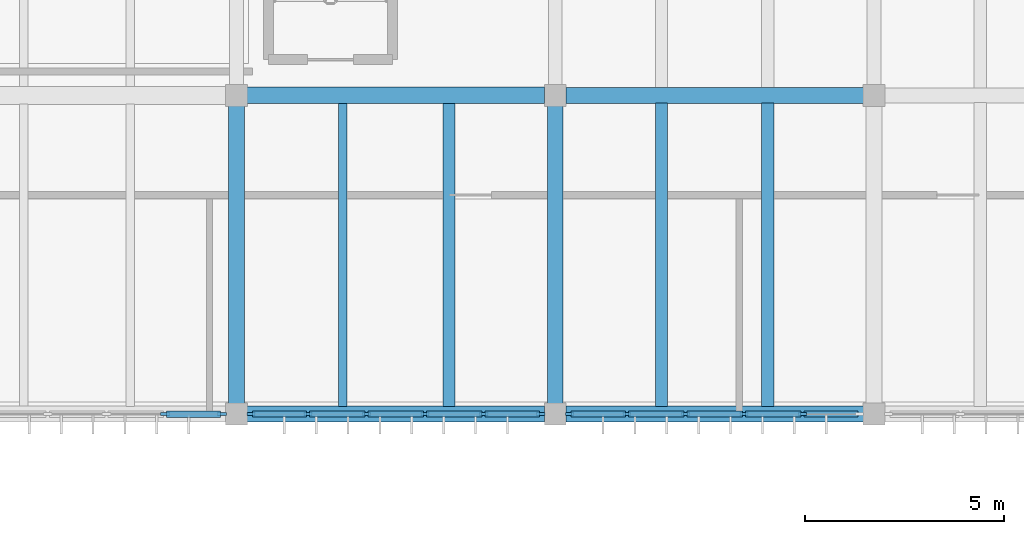
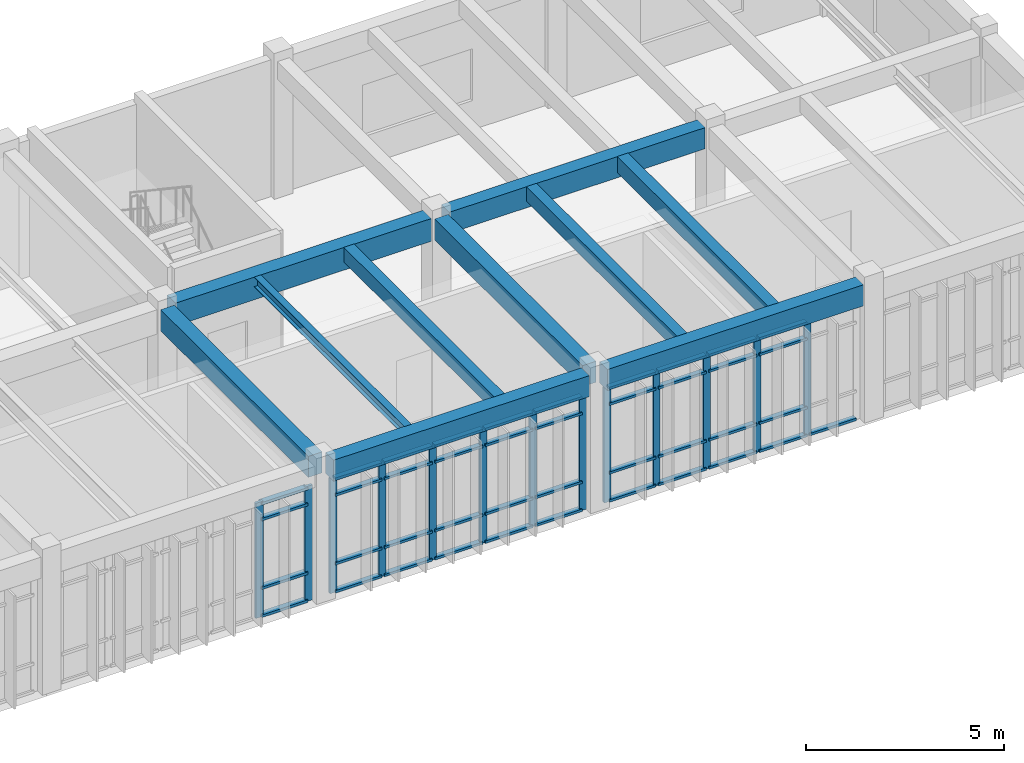
# One storey, part 30 of 79: 54 members, 10 beams, 3 elements without a shape of their own.
"""IFC4 building model written with IfcOpenShell, lengths in metres."""

from ifc_helpers import new_model, si_unit, direction, frame, origin, origin_2d, place, context, subcontext, project, spatial, rectangle, i_section, extrude, material, material_profile, profile_set, type_object, element, aggregate, save


model = new_model("IFC4")

# Units and contexts
model_context = context("Model", 3, precision=1e-05, world=origin(), true_north=direction((0.0, 1.0)))
body_context = subcontext(model_context, "Body", "Model", "MODEL_VIEW")
ifc_project = project(units=[si_unit("LENGTHUNIT", "METRE"), si_unit("AREAUNIT", "SQUARE_METRE"), si_unit("VOLUMEUNIT", "CUBIC_METRE"), si_unit("PLANEANGLEUNIT", "RADIAN"), si_unit("MASSUNIT", "GRAM", prefix="KILO")], contexts=[model_context])

# Site, building, storey
site_placement = place(None, origin())
site = spatial("IfcSite", under=ifc_project, at=site_placement, CompositionType="ELEMENT")
building_placement = place(site_placement, origin())
building = spatial("IfcBuilding", under=site, at=building_placement, Name="Tlaxcora Railside Police Headquarters", CompositionType="ELEMENT")
storey_placement = place(building_placement, frame((0.0, 0.0, 9.0)))
storey = spatial("IfcBuildingStorey", under=building, at=storey_placement, Name="L02", CompositionType="ELEMENT", Elevation=9.0)

# Curtain wall, members
ifc_material_1 = material(Name="Thermally broken low-E insulated glazing", Category="glass")
curtain_wall_type_1 = type_object("IfcCurtainWallType", Name="Unitised Curtain Wall Assembly CW-23", PredefinedType="NOTDEFINED", material=ifc_material_1)
curtain_wall_1_placement = place(storey_placement, origin())
curtain_wall_1 = element("IfcCurtainWall", 1, at=curtain_wall_1_placement, inside=storey, type_object=curtain_wall_type_1, Name="V7 L02 curtain wall 180", PredefinedType="NOTDEFINED")
ifc_material_2 = material(Name="Anodised aluminium framing", Category="aluminium")
ifc_material_profile_1 = material_profile(ifc_material_2, rectangle(XDim=0.080078125, YDim=0.219970703125, at=origin_2d()), Name="AL80X220")
ifc_profile_set_1 = profile_set([ifc_material_profile_1], Name="Anodised aluminium framing")
member_type_1 = type_object("IfcMemberType", Name="Curtain Wall Mullion CW-31", PredefinedType="MULLION", material=ifc_profile_set_1)
member_1_placement = place(storey_placement, frame((133.0048828125, 36.0, 0.0), z_axis=(0.0, 0.0, 1.0), x_axis=(0.0, 1.0, 0.0)))
member_1 = element("IfcMember", 2, at=member_1_placement, type_object=member_type_1, Name="CW mullion 5", PredefinedType="MULLION", context=body_context, shape_type="SweptSolid", body=[
    extrude(rectangle(XDim=0.080078125, YDim=0.219970703125, at=origin_2d()), origin(), (0.0, 0.0, 1.0), 3.550048828125),
])
member_2_placement = place(storey_placement, frame((134.43505859375, 36.0, 0.0), z_axis=(0.0, 0.0, 1.0), x_axis=(0.0, 1.0, 0.0)))
member_2 = element("IfcMember", 3, at=member_2_placement, type_object=member_type_1, Name="CW mullion 6", PredefinedType="MULLION", context=body_context, shape_type="SweptSolid", body=[
    extrude(rectangle(XDim=0.080078125, YDim=0.219970703125, at=origin_2d()), origin(), (0.0, 0.0, 1.0), 3.550048828125),
])

curtain_wall_type_2 = type_object("IfcCurtainWallType", Name="Unitised Curtain Wall Assembly CW-38", PredefinedType="NOTDEFINED", material=ifc_material_1)
curtain_wall_2_placement = place(storey_placement, origin())
curtain_wall_2 = element("IfcCurtainWall", 4, at=curtain_wall_2_placement, inside=storey, type_object=curtain_wall_type_2, Name="V7 L02 curtain wall 181", PredefinedType="NOTDEFINED")
ifc_material_profile_2 = material_profile(ifc_material_2, rectangle(XDim=0.074951171875, YDim=0.205078125, at=origin_2d()), Name="AL75X205")
ifc_profile_set_2 = profile_set([ifc_material_profile_2], Name="Anodised aluminium framing")
member_type_2 = type_object("IfcMemberType", Name="Curtain Wall Mullion CW-32", PredefinedType="MULLION", material=ifc_profile_set_2)
member_3_placement = place(storey_placement, frame((135.16259765625, 36.0, 0.0), z_axis=(0.0, 0.0, 1.0), x_axis=(0.0, 1.0, 0.0)))
member_3 = element("IfcMember", 5, at=member_3_placement, type_object=member_type_2, Name="CW mullion 1", PredefinedType="MULLION", context=body_context, shape_type="SweptSolid", body=[
    extrude(rectangle(XDim=0.074951171875, YDim=0.205078125, at=origin_2d()), origin(), (0.0, 0.0, 1.0), 3.550048828125),
])
member_4_placement = place(storey_placement, frame((136.594970703125, 36.0, 0.0), z_axis=(0.0, 0.0, 1.0), x_axis=(0.0, 1.0, 0.0)))
member_4 = element("IfcMember", 6, at=member_4_placement, type_object=member_type_2, Name="CW mullion 2", PredefinedType="MULLION", context=body_context, shape_type="SweptSolid", body=[
    extrude(rectangle(XDim=0.074951171875, YDim=0.205078125, at=origin_2d()), origin(), (0.0, 0.0, 1.0), 3.550048828125),
])
member_5_placement = place(storey_placement, frame((138.06494140625, 36.0, 0.0), z_axis=(0.0, 0.0, 1.0), x_axis=(0.0, 1.0, 0.0)))
member_5 = element("IfcMember", 7, at=member_5_placement, type_object=member_type_2, Name="CW mullion 3", PredefinedType="MULLION", context=body_context, shape_type="SweptSolid", body=[
    extrude(rectangle(XDim=0.074951171875, YDim=0.205078125, at=origin_2d()), origin(), (0.0, 0.0, 1.0), 3.550048828125),
])
member_6_placement = place(storey_placement, frame((139.534912109375, 36.0, 0.0), z_axis=(0.0, 0.0, 1.0), x_axis=(0.0, 1.0, 0.0)))
member_6 = element("IfcMember", 8, at=member_6_placement, type_object=member_type_2, Name="CW mullion 4", PredefinedType="MULLION", context=body_context, shape_type="SweptSolid", body=[
    extrude(rectangle(XDim=0.074951171875, YDim=0.205078125, at=origin_2d()), origin(), (0.0, 0.0, 1.0), 3.550048828125),
])
member_7_placement = place(storey_placement, frame((141.0048828125, 36.0, 0.0), z_axis=(0.0, 0.0, 1.0), x_axis=(0.0, 1.0, 0.0)))
member_7 = element("IfcMember", 9, at=member_7_placement, type_object=member_type_2, Name="CW mullion 5", PredefinedType="MULLION", context=body_context, shape_type="SweptSolid", body=[
    extrude(rectangle(XDim=0.074951171875, YDim=0.205078125, at=origin_2d()), origin(), (0.0, 0.0, 1.0), 3.550048828125),
])
member_8_placement = place(storey_placement, frame((142.4375, 36.0, 0.0), z_axis=(0.0, 0.0, 1.0), x_axis=(0.0, 1.0, 0.0)))
member_8 = element("IfcMember", 10, at=member_8_placement, type_object=member_type_2, Name="CW mullion 6", PredefinedType="MULLION", context=body_context, shape_type="SweptSolid", body=[
    extrude(rectangle(XDim=0.074951171875, YDim=0.205078125, at=origin_2d()), origin(), (0.0, 0.0, 1.0), 3.550048828125),
])

curtain_wall_type_3 = type_object("IfcCurtainWallType", Name="Unitised Curtain Wall Assembly CW-15", PredefinedType="NOTDEFINED", material=ifc_material_1)
curtain_wall_3_placement = place(storey_placement, origin())
curtain_wall_3 = element("IfcCurtainWall", 11, at=curtain_wall_3_placement, inside=storey, type_object=curtain_wall_type_3, Name="V7 L02 curtain wall 182", PredefinedType="NOTDEFINED")
ifc_material_profile_3 = material_profile(ifc_material_2, rectangle(XDim=0.074951171875, YDim=0.199951171875, at=origin_2d()), Name="AL75X200")
ifc_profile_set_3 = profile_set([ifc_material_profile_3], Name="Anodised aluminium framing")
member_type_3 = type_object("IfcMemberType", Name="Curtain Wall Mullion CW-58", PredefinedType="MULLION", material=ifc_profile_set_3)
member_9_placement = place(storey_placement, frame((143.16259765625, 36.0, 0.0), z_axis=(0.0, 0.0, 1.0), x_axis=(0.0, 1.0, 0.0)))
member_9 = element("IfcMember", 12, at=member_9_placement, type_object=member_type_3, Name="CW mullion 1", PredefinedType="MULLION", context=body_context, shape_type="SweptSolid", body=[
    extrude(rectangle(XDim=0.074951171875, YDim=0.199951171875, at=origin_2d()), origin(), (0.0, 0.0, 1.0), 3.550048828125),
])
member_10_placement = place(storey_placement, frame((144.594970703125, 36.0, 0.0), z_axis=(0.0, 0.0, 1.0), x_axis=(0.0, 1.0, 0.0)))
member_10 = element("IfcMember", 13, at=member_10_placement, type_object=member_type_3, Name="CW mullion 2", PredefinedType="MULLION", context=body_context, shape_type="SweptSolid", body=[
    extrude(rectangle(XDim=0.074951171875, YDim=0.199951171875, at=origin_2d()), origin(), (0.0, 0.0, 1.0), 3.550048828125),
])
member_11_placement = place(storey_placement, frame((146.06494140625, 36.0, 0.0), z_axis=(0.0, 0.0, 1.0), x_axis=(0.0, 1.0, 0.0)))
member_11 = element("IfcMember", 14, at=member_11_placement, type_object=member_type_3, Name="CW mullion 3", PredefinedType="MULLION", context=body_context, shape_type="SweptSolid", body=[
    extrude(rectangle(XDim=0.074951171875, YDim=0.199951171875, at=origin_2d()), origin(), (0.0, 0.0, 1.0), 3.550048828125),
])
member_12_placement = place(storey_placement, frame((147.534912109375, 36.0, 0.0), z_axis=(0.0, 0.0, 1.0), x_axis=(0.0, 1.0, 0.0)))
member_12 = element("IfcMember", 15, at=member_12_placement, type_object=member_type_3, Name="CW mullion 4", PredefinedType="MULLION", context=body_context, shape_type="SweptSolid", body=[
    extrude(rectangle(XDim=0.074951171875, YDim=0.199951171875, at=origin_2d()), origin(), (0.0, 0.0, 1.0), 3.550048828125),
])
member_13_placement = place(storey_placement, frame((149.0048828125, 36.0, 0.0), z_axis=(0.0, 0.0, 1.0), x_axis=(0.0, 1.0, 0.0)))
member_13 = element("IfcMember", 16, at=member_13_placement, type_object=member_type_3, Name="CW mullion 5", PredefinedType="MULLION", context=body_context, shape_type="SweptSolid", body=[
    extrude(rectangle(XDim=0.074951171875, YDim=0.199951171875, at=origin_2d()), origin(), (0.0, 0.0, 1.0), 3.550048828125),
])
ifc_material_profile_4 = material_profile(ifc_material_2, rectangle(XDim=0.14990234375, YDim=0.074951171875, at=origin_2d()), Name="AL75X150")
ifc_profile_set_4 = profile_set([ifc_material_profile_4], Name="Anodised aluminium framing")
member_type_4 = type_object("IfcMemberType", Name="Curtain Wall Transom CW-28", PredefinedType="USERDEFINED", material=ifc_profile_set_4)
member_14_placement = place(storey_placement, frame((143.199951171875, 36.0, 0.03759765625), z_axis=(1.0, 0.0, 0.0), x_axis=(0.0, 1.0, 0.0)))
member_14 = element("IfcMember", 17, at=member_14_placement, type_object=member_type_4, Name="CW transom 1.1", ObjectType="TRANSOM", PredefinedType="USERDEFINED", context=body_context, shape_type="SweptSolid", body=[
    extrude(rectangle(XDim=0.14990234375, YDim=0.074951171875, at=origin_2d()), origin(), (0.0, 0.0, 1.0), 1.357666015625),
])
member_15_placement = place(storey_placement, frame((143.199951171875, 36.0, 0.89990234375), z_axis=(1.0, 0.0, 0.0), x_axis=(0.0, 1.0, 0.0)))
member_15 = element("IfcMember", 18, at=member_15_placement, type_object=member_type_4, Name="CW transom 1.2", ObjectType="TRANSOM", PredefinedType="USERDEFINED", context=body_context, shape_type="SweptSolid", body=[
    extrude(rectangle(XDim=0.14990234375, YDim=0.074951171875, at=origin_2d()), origin(), (0.0, 0.0, 1.0), 1.357666015625),
])
member_16_placement = place(storey_placement, frame((143.199951171875, 36.0, 3.02001953125), z_axis=(1.0, 0.0, 0.0), x_axis=(0.0, 1.0, 0.0)))
member_16 = element("IfcMember", 19, at=member_16_placement, type_object=member_type_4, Name="CW transom 1.3", ObjectType="TRANSOM", PredefinedType="USERDEFINED", context=body_context, shape_type="SweptSolid", body=[
    extrude(rectangle(XDim=0.14990234375, YDim=0.074951171875, at=origin_2d()), origin(), (0.0, 0.0, 1.0), 1.357666015625),
])
member_17_placement = place(storey_placement, frame((143.199951171875, 36.0, 3.512451171875), z_axis=(1.0, 0.0, 0.0), x_axis=(0.0, 1.0, 0.0)))
member_17 = element("IfcMember", 20, at=member_17_placement, type_object=member_type_4, Name="CW transom 1.4", ObjectType="TRANSOM", PredefinedType="USERDEFINED", context=body_context, shape_type="SweptSolid", body=[
    extrude(rectangle(XDim=0.14990234375, YDim=0.074951171875, at=origin_2d()), origin(), (0.0, 0.0, 1.0), 1.357666015625),
])
member_18_placement = place(storey_placement, frame((144.632568359375, 36.0, 0.03759765625), z_axis=(1.0, 0.0, 0.0), x_axis=(0.0, 1.0, 0.0)))
member_18 = element("IfcMember", 21, at=member_18_placement, type_object=member_type_4, Name="CW transom 2.1", ObjectType="TRANSOM", PredefinedType="USERDEFINED", context=body_context, shape_type="SweptSolid", body=[
    extrude(rectangle(XDim=0.14990234375, YDim=0.074951171875, at=origin_2d()), origin(), (0.0, 0.0, 1.0), 1.39501953125),
])
member_19_placement = place(storey_placement, frame((144.632568359375, 36.0, 0.89990234375), z_axis=(1.0, 0.0, 0.0), x_axis=(0.0, 1.0, 0.0)))
member_19 = element("IfcMember", 22, at=member_19_placement, type_object=member_type_4, Name="CW transom 2.2", ObjectType="TRANSOM", PredefinedType="USERDEFINED", context=body_context, shape_type="SweptSolid", body=[
    extrude(rectangle(XDim=0.14990234375, YDim=0.074951171875, at=origin_2d()), origin(), (0.0, 0.0, 1.0), 1.39501953125),
])
member_20_placement = place(storey_placement, frame((144.632568359375, 36.0, 3.02001953125), z_axis=(1.0, 0.0, 0.0), x_axis=(0.0, 1.0, 0.0)))
member_20 = element("IfcMember", 23, at=member_20_placement, type_object=member_type_4, Name="CW transom 2.3", ObjectType="TRANSOM", PredefinedType="USERDEFINED", context=body_context, shape_type="SweptSolid", body=[
    extrude(rectangle(XDim=0.14990234375, YDim=0.074951171875, at=origin_2d()), origin(), (0.0, 0.0, 1.0), 1.39501953125),
])
member_21_placement = place(storey_placement, frame((144.632568359375, 36.0, 3.512451171875), z_axis=(1.0, 0.0, 0.0), x_axis=(0.0, 1.0, 0.0)))
member_21 = element("IfcMember", 24, at=member_21_placement, type_object=member_type_4, Name="CW transom 2.4", ObjectType="TRANSOM", PredefinedType="USERDEFINED", context=body_context, shape_type="SweptSolid", body=[
    extrude(rectangle(XDim=0.14990234375, YDim=0.074951171875, at=origin_2d()), origin(), (0.0, 0.0, 1.0), 1.39501953125),
])
member_22_placement = place(storey_placement, frame((146.1025390625, 36.0, 0.03759765625), z_axis=(1.0, 0.0, 0.0), x_axis=(0.0, 1.0, 0.0)))
member_22 = element("IfcMember", 25, at=member_22_placement, type_object=member_type_4, Name="CW transom 3.1", ObjectType="TRANSOM", PredefinedType="USERDEFINED", context=body_context, shape_type="SweptSolid", body=[
    extrude(rectangle(XDim=0.14990234375, YDim=0.074951171875, at=origin_2d()), origin(), (0.0, 0.0, 1.0), 1.39501953125),
])
member_23_placement = place(storey_placement, frame((146.1025390625, 36.0, 0.89990234375), z_axis=(1.0, 0.0, 0.0), x_axis=(0.0, 1.0, 0.0)))
member_23 = element("IfcMember", 26, at=member_23_placement, type_object=member_type_4, Name="CW transom 3.2", ObjectType="TRANSOM", PredefinedType="USERDEFINED", context=body_context, shape_type="SweptSolid", body=[
    extrude(rectangle(XDim=0.14990234375, YDim=0.074951171875, at=origin_2d()), origin(), (0.0, 0.0, 1.0), 1.39501953125),
])
member_24_placement = place(storey_placement, frame((146.1025390625, 36.0, 3.02001953125), z_axis=(1.0, 0.0, 0.0), x_axis=(0.0, 1.0, 0.0)))
member_24 = element("IfcMember", 27, at=member_24_placement, type_object=member_type_4, Name="CW transom 3.3", ObjectType="TRANSOM", PredefinedType="USERDEFINED", context=body_context, shape_type="SweptSolid", body=[
    extrude(rectangle(XDim=0.14990234375, YDim=0.074951171875, at=origin_2d()), origin(), (0.0, 0.0, 1.0), 1.39501953125),
])
member_25_placement = place(storey_placement, frame((146.1025390625, 36.0, 3.512451171875), z_axis=(1.0, 0.0, 0.0), x_axis=(0.0, 1.0, 0.0)))
member_25 = element("IfcMember", 28, at=member_25_placement, type_object=member_type_4, Name="CW transom 3.4", ObjectType="TRANSOM", PredefinedType="USERDEFINED", context=body_context, shape_type="SweptSolid", body=[
    extrude(rectangle(XDim=0.14990234375, YDim=0.074951171875, at=origin_2d()), origin(), (0.0, 0.0, 1.0), 1.39501953125),
])
member_26_placement = place(storey_placement, frame((147.572509765625, 36.0, 0.03759765625), z_axis=(1.0, 0.0, 0.0), x_axis=(0.0, 1.0, 0.0)))
member_26 = element("IfcMember", 29, at=member_26_placement, type_object=member_type_4, Name="CW transom 4.1", ObjectType="TRANSOM", PredefinedType="USERDEFINED", context=body_context, shape_type="SweptSolid", body=[
    extrude(rectangle(XDim=0.14990234375, YDim=0.074951171875, at=origin_2d()), origin(), (0.0, 0.0, 1.0), 1.39501953125),
])
member_27_placement = place(storey_placement, frame((147.572509765625, 36.0, 0.89990234375), z_axis=(1.0, 0.0, 0.0), x_axis=(0.0, 1.0, 0.0)))
member_27 = element("IfcMember", 30, at=member_27_placement, type_object=member_type_4, Name="CW transom 4.2", ObjectType="TRANSOM", PredefinedType="USERDEFINED", context=body_context, shape_type="SweptSolid", body=[
    extrude(rectangle(XDim=0.14990234375, YDim=0.074951171875, at=origin_2d()), origin(), (0.0, 0.0, 1.0), 1.39501953125),
])
member_28_placement = place(storey_placement, frame((147.572509765625, 36.0, 3.02001953125), z_axis=(1.0, 0.0, 0.0), x_axis=(0.0, 1.0, 0.0)))
member_28 = element("IfcMember", 31, at=member_28_placement, type_object=member_type_4, Name="CW transom 4.3", ObjectType="TRANSOM", PredefinedType="USERDEFINED", context=body_context, shape_type="SweptSolid", body=[
    extrude(rectangle(XDim=0.14990234375, YDim=0.074951171875, at=origin_2d()), origin(), (0.0, 0.0, 1.0), 1.39501953125),
])
member_29_placement = place(storey_placement, frame((147.572509765625, 36.0, 3.512451171875), z_axis=(1.0, 0.0, 0.0), x_axis=(0.0, 1.0, 0.0)))
member_29 = element("IfcMember", 32, at=member_29_placement, type_object=member_type_4, Name="CW transom 4.4", ObjectType="TRANSOM", PredefinedType="USERDEFINED", context=body_context, shape_type="SweptSolid", body=[
    extrude(rectangle(XDim=0.14990234375, YDim=0.074951171875, at=origin_2d()), origin(), (0.0, 0.0, 1.0), 1.39501953125),
])
member_30_placement = place(storey_placement, frame((149.04248046875, 36.0, 0.03759765625), z_axis=(1.0, 0.0, 0.0), x_axis=(0.0, 1.0, 0.0)))
member_30 = element("IfcMember", 33, at=member_30_placement, type_object=member_type_4, Name="CW transom 5.1", ObjectType="TRANSOM", PredefinedType="USERDEFINED", context=body_context, shape_type="SweptSolid", body=[
    extrude(rectangle(XDim=0.14990234375, YDim=0.074951171875, at=origin_2d()), origin(), (0.0, 0.0, 1.0), 1.357421875),
])
aggregate(curtain_wall_3, [member_9, member_10, member_11, member_12, member_13, member_14, member_15, member_16, member_17, member_18, member_19, member_20, member_21, member_22, member_23, member_24, member_25, member_26, member_27, member_28, member_29, member_30])

# Member
ifc_material_profile_5 = material_profile(ifc_material_2, rectangle(XDim=0.155029296875, YDim=0.074951171875, at=origin_2d()), Name="AL75X155")
ifc_profile_set_5 = profile_set([ifc_material_profile_5], Name="Anodised aluminium framing")
member_type_5 = type_object("IfcMemberType", Name="Curtain Wall Transom CW-30", PredefinedType="USERDEFINED", material=ifc_profile_set_5)
member_31_placement = place(storey_placement, frame((135.199951171875, 36.0, 0.03759765625), z_axis=(1.0, 0.0, 0.0), x_axis=(0.0, 1.0, 0.0)))
member_31 = element("IfcMember", 34, at=member_31_placement, type_object=member_type_5, Name="CW transom 1.1", ObjectType="TRANSOM", PredefinedType="USERDEFINED", context=body_context, shape_type="SweptSolid", body=[
    extrude(rectangle(XDim=0.155029296875, YDim=0.074951171875, at=origin_2d()), origin(), (0.0, 0.0, 1.0), 1.357666015625),
])

member_32_placement = place(storey_placement, frame((135.199951171875, 36.0, 0.89990234375), z_axis=(1.0, 0.0, 0.0), x_axis=(0.0, 1.0, 0.0)))
member_32 = element("IfcMember", 35, at=member_32_placement, type_object=member_type_5, Name="CW transom 1.2", ObjectType="TRANSOM", PredefinedType="USERDEFINED", context=body_context, shape_type="SweptSolid", body=[
    extrude(rectangle(XDim=0.155029296875, YDim=0.074951171875, at=origin_2d()), origin(), (0.0, 0.0, 1.0), 1.357666015625),
])

member_33_placement = place(storey_placement, frame((135.199951171875, 36.0, 3.02001953125), z_axis=(1.0, 0.0, 0.0), x_axis=(0.0, 1.0, 0.0)))
member_33 = element("IfcMember", 36, at=member_33_placement, type_object=member_type_5, Name="CW transom 1.3", ObjectType="TRANSOM", PredefinedType="USERDEFINED", context=body_context, shape_type="SweptSolid", body=[
    extrude(rectangle(XDim=0.155029296875, YDim=0.074951171875, at=origin_2d()), origin(), (0.0, 0.0, 1.0), 1.357666015625),
])

member_34_placement = place(storey_placement, frame((135.199951171875, 36.0, 3.512451171875), z_axis=(1.0, 0.0, 0.0), x_axis=(0.0, 1.0, 0.0)))
member_34 = element("IfcMember", 37, at=member_34_placement, type_object=member_type_5, Name="CW transom 1.4", ObjectType="TRANSOM", PredefinedType="USERDEFINED", context=body_context, shape_type="SweptSolid", body=[
    extrude(rectangle(XDim=0.155029296875, YDim=0.074951171875, at=origin_2d()), origin(), (0.0, 0.0, 1.0), 1.357666015625),
])

member_35_placement = place(storey_placement, frame((136.632568359375, 36.0, 0.03759765625), z_axis=(1.0, 0.0, 0.0), x_axis=(0.0, 1.0, 0.0)))
member_35 = element("IfcMember", 38, at=member_35_placement, type_object=member_type_5, Name="CW transom 2.1", ObjectType="TRANSOM", PredefinedType="USERDEFINED", context=body_context, shape_type="SweptSolid", body=[
    extrude(rectangle(XDim=0.155029296875, YDim=0.074951171875, at=origin_2d()), origin(), (0.0, 0.0, 1.0), 1.39501953125),
])

member_36_placement = place(storey_placement, frame((136.632568359375, 36.0, 0.89990234375), z_axis=(1.0, 0.0, 0.0), x_axis=(0.0, 1.0, 0.0)))
member_36 = element("IfcMember", 39, at=member_36_placement, type_object=member_type_5, Name="CW transom 2.2", ObjectType="TRANSOM", PredefinedType="USERDEFINED", context=body_context, shape_type="SweptSolid", body=[
    extrude(rectangle(XDim=0.155029296875, YDim=0.074951171875, at=origin_2d()), origin(), (0.0, 0.0, 1.0), 1.39501953125),
])

member_37_placement = place(storey_placement, frame((136.632568359375, 36.0, 3.02001953125), z_axis=(1.0, 0.0, 0.0), x_axis=(0.0, 1.0, 0.0)))
member_37 = element("IfcMember", 40, at=member_37_placement, type_object=member_type_5, Name="CW transom 2.3", ObjectType="TRANSOM", PredefinedType="USERDEFINED", context=body_context, shape_type="SweptSolid", body=[
    extrude(rectangle(XDim=0.155029296875, YDim=0.074951171875, at=origin_2d()), origin(), (0.0, 0.0, 1.0), 1.39501953125),
])

member_38_placement = place(storey_placement, frame((136.632568359375, 36.0, 3.512451171875), z_axis=(1.0, 0.0, 0.0), x_axis=(0.0, 1.0, 0.0)))
member_38 = element("IfcMember", 41, at=member_38_placement, type_object=member_type_5, Name="CW transom 2.4", ObjectType="TRANSOM", PredefinedType="USERDEFINED", context=body_context, shape_type="SweptSolid", body=[
    extrude(rectangle(XDim=0.155029296875, YDim=0.074951171875, at=origin_2d()), origin(), (0.0, 0.0, 1.0), 1.39501953125),
])

member_39_placement = place(storey_placement, frame((138.1025390625, 36.0, 0.03759765625), z_axis=(1.0, 0.0, 0.0), x_axis=(0.0, 1.0, 0.0)))
member_39 = element("IfcMember", 42, at=member_39_placement, type_object=member_type_5, Name="CW transom 3.1", ObjectType="TRANSOM", PredefinedType="USERDEFINED", context=body_context, shape_type="SweptSolid", body=[
    extrude(rectangle(XDim=0.155029296875, YDim=0.074951171875, at=origin_2d()), origin(), (0.0, 0.0, 1.0), 1.39501953125),
])

member_40_placement = place(storey_placement, frame((138.1025390625, 36.0, 0.89990234375), z_axis=(1.0, 0.0, 0.0), x_axis=(0.0, 1.0, 0.0)))
member_40 = element("IfcMember", 43, at=member_40_placement, type_object=member_type_5, Name="CW transom 3.2", ObjectType="TRANSOM", PredefinedType="USERDEFINED", context=body_context, shape_type="SweptSolid", body=[
    extrude(rectangle(XDim=0.155029296875, YDim=0.074951171875, at=origin_2d()), origin(), (0.0, 0.0, 1.0), 1.39501953125),
])

member_41_placement = place(storey_placement, frame((138.1025390625, 36.0, 3.02001953125), z_axis=(1.0, 0.0, 0.0), x_axis=(0.0, 1.0, 0.0)))
member_41 = element("IfcMember", 44, at=member_41_placement, type_object=member_type_5, Name="CW transom 3.3", ObjectType="TRANSOM", PredefinedType="USERDEFINED", context=body_context, shape_type="SweptSolid", body=[
    extrude(rectangle(XDim=0.155029296875, YDim=0.074951171875, at=origin_2d()), origin(), (0.0, 0.0, 1.0), 1.39501953125),
])

member_42_placement = place(storey_placement, frame((138.1025390625, 36.0, 3.512451171875), z_axis=(1.0, 0.0, 0.0), x_axis=(0.0, 1.0, 0.0)))
member_42 = element("IfcMember", 45, at=member_42_placement, type_object=member_type_5, Name="CW transom 3.4", ObjectType="TRANSOM", PredefinedType="USERDEFINED", context=body_context, shape_type="SweptSolid", body=[
    extrude(rectangle(XDim=0.155029296875, YDim=0.074951171875, at=origin_2d()), origin(), (0.0, 0.0, 1.0), 1.39501953125),
])

member_43_placement = place(storey_placement, frame((139.572509765625, 36.0, 0.03759765625), z_axis=(1.0, 0.0, 0.0), x_axis=(0.0, 1.0, 0.0)))
member_43 = element("IfcMember", 46, at=member_43_placement, type_object=member_type_5, Name="CW transom 4.1", ObjectType="TRANSOM", PredefinedType="USERDEFINED", context=body_context, shape_type="SweptSolid", body=[
    extrude(rectangle(XDim=0.155029296875, YDim=0.074951171875, at=origin_2d()), origin(), (0.0, 0.0, 1.0), 1.39501953125),
])

member_44_placement = place(storey_placement, frame((139.572509765625, 36.0, 0.89990234375), z_axis=(1.0, 0.0, 0.0), x_axis=(0.0, 1.0, 0.0)))
member_44 = element("IfcMember", 47, at=member_44_placement, type_object=member_type_5, Name="CW transom 4.2", ObjectType="TRANSOM", PredefinedType="USERDEFINED", context=body_context, shape_type="SweptSolid", body=[
    extrude(rectangle(XDim=0.155029296875, YDim=0.074951171875, at=origin_2d()), origin(), (0.0, 0.0, 1.0), 1.39501953125),
])

member_45_placement = place(storey_placement, frame((139.572509765625, 36.0, 3.02001953125), z_axis=(1.0, 0.0, 0.0), x_axis=(0.0, 1.0, 0.0)))
member_45 = element("IfcMember", 48, at=member_45_placement, type_object=member_type_5, Name="CW transom 4.3", ObjectType="TRANSOM", PredefinedType="USERDEFINED", context=body_context, shape_type="SweptSolid", body=[
    extrude(rectangle(XDim=0.155029296875, YDim=0.074951171875, at=origin_2d()), origin(), (0.0, 0.0, 1.0), 1.39501953125),
])

member_46_placement = place(storey_placement, frame((139.572509765625, 36.0, 3.512451171875), z_axis=(1.0, 0.0, 0.0), x_axis=(0.0, 1.0, 0.0)))
member_46 = element("IfcMember", 49, at=member_46_placement, type_object=member_type_5, Name="CW transom 4.4", ObjectType="TRANSOM", PredefinedType="USERDEFINED", context=body_context, shape_type="SweptSolid", body=[
    extrude(rectangle(XDim=0.155029296875, YDim=0.074951171875, at=origin_2d()), origin(), (0.0, 0.0, 1.0), 1.39501953125),
])

member_47_placement = place(storey_placement, frame((141.04248046875, 36.0, 0.03759765625), z_axis=(1.0, 0.0, 0.0), x_axis=(0.0, 1.0, 0.0)))
member_47 = element("IfcMember", 50, at=member_47_placement, type_object=member_type_5, Name="CW transom 5.1", ObjectType="TRANSOM", PredefinedType="USERDEFINED", context=body_context, shape_type="SweptSolid", body=[
    extrude(rectangle(XDim=0.155029296875, YDim=0.074951171875, at=origin_2d()), origin(), (0.0, 0.0, 1.0), 1.357421875),
])

member_48_placement = place(storey_placement, frame((141.04248046875, 36.0, 0.89990234375), z_axis=(1.0, 0.0, 0.0), x_axis=(0.0, 1.0, 0.0)))
member_48 = element("IfcMember", 51, at=member_48_placement, type_object=member_type_5, Name="CW transom 5.2", ObjectType="TRANSOM", PredefinedType="USERDEFINED", context=body_context, shape_type="SweptSolid", body=[
    extrude(rectangle(XDim=0.155029296875, YDim=0.074951171875, at=origin_2d()), origin(), (0.0, 0.0, 1.0), 1.357421875),
])

member_49_placement = place(storey_placement, frame((141.04248046875, 36.0, 3.02001953125), z_axis=(1.0, 0.0, 0.0), x_axis=(0.0, 1.0, 0.0)))
member_49 = element("IfcMember", 52, at=member_49_placement, type_object=member_type_5, Name="CW transom 5.3", ObjectType="TRANSOM", PredefinedType="USERDEFINED", context=body_context, shape_type="SweptSolid", body=[
    extrude(rectangle(XDim=0.155029296875, YDim=0.074951171875, at=origin_2d()), origin(), (0.0, 0.0, 1.0), 1.357421875),
])

member_50_placement = place(storey_placement, frame((141.04248046875, 36.0, 3.512451171875), z_axis=(1.0, 0.0, 0.0), x_axis=(0.0, 1.0, 0.0)))
member_50 = element("IfcMember", 53, at=member_50_placement, type_object=member_type_5, Name="CW transom 5.4", ObjectType="TRANSOM", PredefinedType="USERDEFINED", context=body_context, shape_type="SweptSolid", body=[
    extrude(rectangle(XDim=0.155029296875, YDim=0.074951171875, at=origin_2d()), origin(), (0.0, 0.0, 1.0), 1.357421875),
])

aggregate(curtain_wall_2, [member_3, member_4, member_5, member_6, member_7, member_8, member_31, member_32, member_33, member_34, member_35, member_36, member_37, member_38, member_39, member_40, member_41, member_42, member_43, member_44, member_45, member_46, member_47, member_48, member_49, member_50])

ifc_material_profile_6 = material_profile(ifc_material_2, rectangle(XDim=0.1650390625, YDim=0.080078125, at=origin_2d()), Name="AL80X165")
ifc_profile_set_6 = profile_set([ifc_material_profile_6], Name="Anodised aluminium framing")
member_type_6 = type_object("IfcMemberType", Name="Curtain Wall Transom CW-62", PredefinedType="USERDEFINED", material=ifc_profile_set_6)
member_51_placement = place(storey_placement, frame((133.044921875, 36.0, 0.0400390625), z_axis=(1.0, 0.0, 0.0), x_axis=(0.0, 1.0, 0.0)))
member_51 = element("IfcMember", 54, at=member_51_placement, type_object=member_type_6, Name="CW transom 5.1", ObjectType="TRANSOM", PredefinedType="USERDEFINED", context=body_context, shape_type="SweptSolid", body=[
    extrude(rectangle(XDim=0.1650390625, YDim=0.080078125, at=origin_2d()), origin(), (0.0, 0.0, 1.0), 1.35009765625),
])

member_52_placement = place(storey_placement, frame((133.044921875, 36.0, 0.89990234375), z_axis=(1.0, 0.0, 0.0), x_axis=(0.0, 1.0, 0.0)))
member_52 = element("IfcMember", 55, at=member_52_placement, type_object=member_type_6, Name="CW transom 5.2", ObjectType="TRANSOM", PredefinedType="USERDEFINED", context=body_context, shape_type="SweptSolid", body=[
    extrude(rectangle(XDim=0.1650390625, YDim=0.080078125, at=origin_2d()), origin(), (0.0, 0.0, 1.0), 1.35009765625),
])

member_53_placement = place(storey_placement, frame((133.044921875, 36.0, 3.02001953125), z_axis=(1.0, 0.0, 0.0), x_axis=(0.0, 1.0, 0.0)))
member_53 = element("IfcMember", 56, at=member_53_placement, type_object=member_type_6, Name="CW transom 5.3", ObjectType="TRANSOM", PredefinedType="USERDEFINED", context=body_context, shape_type="SweptSolid", body=[
    extrude(rectangle(XDim=0.1650390625, YDim=0.080078125, at=origin_2d()), origin(), (0.0, 0.0, 1.0), 1.35009765625),
])

member_54_placement = place(storey_placement, frame((133.044921875, 36.0, 3.510009765625), z_axis=(1.0, 0.0, 0.0), x_axis=(0.0, 1.0, 0.0)))
member_54 = element("IfcMember", 57, at=member_54_placement, type_object=member_type_6, Name="CW transom 5.4", ObjectType="TRANSOM", PredefinedType="USERDEFINED", context=body_context, shape_type="SweptSolid", body=[
    extrude(rectangle(XDim=0.1650390625, YDim=0.080078125, at=origin_2d()), origin(), (0.0, 0.0, 1.0), 1.35009765625),
])

aggregate(curtain_wall_1, [member_1, member_2, member_51, member_52, member_53, member_54])

# Beams
ifc_material_3 = material(Name="Concrete C40/50", Category="concrete")
ifc_material_profile_7 = material_profile(ifc_material_3, rectangle(XDim=0.39990234375, YDim=0.64990234375, at=origin_2d()), Name="RC400X650")
ifc_profile_set_7 = profile_set([ifc_material_profile_7], Name="Concrete C40/50")
beam_type_1 = type_object("IfcBeamType", Name="Perimeter Spandrel Beam BM-46", PredefinedType="SPANDREL", material=ifc_profile_set_7)
for number, where, z_axis, x_axis, name in (
    (58, (135.06494140625, 36.0, 3.89501953125), (1.0, 0.0, 0.0), (0.0, 1.0, 0.0), "V7 L02 X-girder Y=36.0"),
    (59, (143.06494140625, 36.0, 3.89501953125), (1.0, 0.0, 0.0), (0.0, 1.0, 0.0), "V7 L02 X-girder Y=36.0"),
):
    element("IfcBeam", number, at=place(storey_placement, frame(where, z_axis=z_axis, x_axis=x_axis)), inside=storey, type_object=beam_type_1, Name=name, PredefinedType="SPANDREL", context=body_context, shape_type="SweptSolid", body=[
        extrude(rectangle(XDim=0.39990234375, YDim=0.64990234375, at=origin_2d()), origin(), (0.0, 0.0, 1.0), 7.469970703125),
    ])
ifc_material_profile_8 = material_profile(ifc_material_3, rectangle(XDim=0.419921875, YDim=0.699951171875, at=origin_2d()), Name="RC420X700")
ifc_profile_set_8 = profile_set([ifc_material_profile_8], Name="Concrete C40/50")
beam_type_2 = type_object("IfcBeamType", Name="Primary Frame Girder BM-35", PredefinedType="BEAM", material=ifc_profile_set_8)
beam_1_placement = place(storey_placement, frame((135.06494140625, 44.0, 3.8701171875), z_axis=(1.0, 0.0, 0.0), x_axis=(0.0, 1.0, 0.0)))
element("IfcBeam", 60, at=beam_1_placement, inside=storey, type_object=beam_type_2, Name="V7 L02 X-girder Y=44.0", PredefinedType="BEAM", context=body_context, shape_type="SweptSolid", body=[
    extrude(rectangle(XDim=0.419921875, YDim=0.699951171875, at=origin_2d()), origin(), (0.0, 0.0, 1.0), 7.469970703125),
])
ifc_material_profile_9 = material_profile(ifc_material_3, rectangle(XDim=0.39990234375, YDim=0.64990234375, at=origin_2d()), Name="RC400X650")
ifc_profile_set_9 = profile_set([ifc_material_profile_9], Name="Concrete C40/50")
beam_type_3 = type_object("IfcBeamType", Name="Primary Frame Girder BM-41", PredefinedType="BEAM", material=ifc_profile_set_9)
beam_2_placement = place(storey_placement, frame((143.06494140625, 44.0, 3.89501953125), z_axis=(1.0, 0.0, 0.0), x_axis=(0.0, 1.0, 0.0)))
element("IfcBeam", 61, at=beam_2_placement, inside=storey, type_object=beam_type_3, Name="V7 L02 X-girder Y=44.0", PredefinedType="BEAM", context=body_context, shape_type="SweptSolid", body=[
    extrude(rectangle(XDim=0.39990234375, YDim=0.64990234375, at=origin_2d()), origin(), (0.0, 0.0, 1.0), 7.469970703125),
])
for number, where, z_axis, x_axis, name in (
    (62, (134.800048828125, 36.264892578125, 3.89501953125), (0.0, 1.0, 0.0), (-1.0, 0.0, 0.0), "V7 L02 Y-girder X=134.8"),
    (63, (142.800048828125, 36.264892578125, 3.89501953125), (0.0, 1.0, 0.0), (-1.0, 0.0, 0.0), "V7 L02 Y-girder X=142.8"),
):
    element("IfcBeam", number, at=place(storey_placement, frame(where, z_axis=z_axis, x_axis=x_axis)), inside=storey, type_object=beam_type_3, Name=name, PredefinedType="BEAM", context=body_context, shape_type="SweptSolid", body=[
        extrude(rectangle(XDim=0.39990234375, YDim=0.64990234375, at=origin_2d()), origin(), (0.0, 0.0, 1.0), 7.47021484375),
    ])
ifc_material_4 = material(Name="Concrete C35/45", Category="concrete")
ifc_material_profile_10 = material_profile(ifc_material_4, rectangle(XDim=0.300048828125, YDim=0.449951171875, at=origin_2d()), Name="RC300X450")
ifc_profile_set_10 = profile_set([ifc_material_profile_10], Name="Concrete C35/45")
beam_type_4 = type_object("IfcBeamType", Name="Secondary Floor Joist BM-27", PredefinedType="JOIST", material=ifc_profile_set_10)
beam_3_placement = place(storey_placement, frame((140.13330078125, 36.19189453125, 3.9951171875), z_axis=(0.0, 1.0, 0.0), x_axis=(-1.0, 0.0, 0.0)))
element("IfcBeam", 64, at=beam_3_placement, inside=storey, type_object=beam_type_4, Name="V7 L02 floor joist X=140.13", PredefinedType="JOIST", context=body_context, shape_type="SweptSolid", body=[
    extrude(rectangle(XDim=0.300048828125, YDim=0.449951171875, at=origin_2d()), origin(), (0.0, 0.0, 1.0), 7.606201171875),
])
beam_4_placement = place(storey_placement, frame((145.466796875, 36.19189453125, 3.9951171875), z_axis=(0.0, 1.0, 0.0), x_axis=(-1.0, 0.0, 0.0)))
element("IfcBeam", 65, at=beam_4_placement, inside=storey, type_object=beam_type_4, Name="V7 L02 floor joist X=145.47", PredefinedType="JOIST", context=body_context, shape_type="SweptSolid", body=[
    extrude(rectangle(XDim=0.300048828125, YDim=0.449951171875, at=origin_2d()), origin(), (0.0, 0.0, 1.0), 7.6162109375),
])
ifc_material_profile_11 = material_profile(ifc_material_4, rectangle(XDim=0.320068359375, YDim=0.5, at=origin_2d()), Name="RC320X500")
ifc_profile_set_11 = profile_set([ifc_material_profile_11], Name="Concrete C35/45")
beam_type_5 = type_object("IfcBeamType", Name="Secondary Floor Joist BM-88", PredefinedType="JOIST", material=ifc_profile_set_11)
beam_5_placement = place(storey_placement, frame((148.13330078125, 36.19189453125, 3.969970703125), z_axis=(0.0, 1.0, 0.0), x_axis=(-1.0, 0.0, 0.0)))
element("IfcBeam", 66, at=beam_5_placement, inside=storey, type_object=beam_type_5, Name="V7 L02 floor joist X=148.13", PredefinedType="JOIST", context=body_context, shape_type="SweptSolid", body=[
    extrude(rectangle(XDim=0.320068359375, YDim=0.5, at=origin_2d()), origin(), (0.0, 0.0, 1.0), 7.6162109375),
])
ifc_material_5 = material(Name="Steel ASTM A992 Grade 50", Category="steel")
ifc_material_profile_12 = material_profile(ifc_material_5, i_section(OverallWidth=0.202880859375, OverallDepth=0.302978515625, WebThickness=0.007568359375, FlangeThickness=0.01318359375, at=origin_2d()), Name="W12X40")
ifc_profile_set_12 = profile_set([ifc_material_profile_12], Name="Steel ASTM A992 Grade 50")
beam_type_6 = type_object("IfcBeamType", Name="Secondary Floor Joist BM-96", PredefinedType="JOIST", material=ifc_profile_set_12)
beam_6_placement = place(storey_placement, frame((137.466796875, 36.19189453125, 4.068603515625), z_axis=(0.0, 1.0, 0.0), x_axis=(-1.0, 0.0, 0.0)))
element("IfcBeam", 67, at=beam_6_placement, inside=storey, type_object=beam_type_6, Name="V7 L02 floor joist X=137.47", PredefinedType="JOIST", context=body_context, shape_type="SweptSolid", body=[
    extrude(i_section(OverallWidth=0.202880859375, OverallDepth=0.302978515625, WebThickness=0.007568359375, FlangeThickness=0.01318359375, at=origin_2d()), origin(), (0.0, 0.0, 1.0), 7.606201171875),
])

save(model, "model.ifc")
